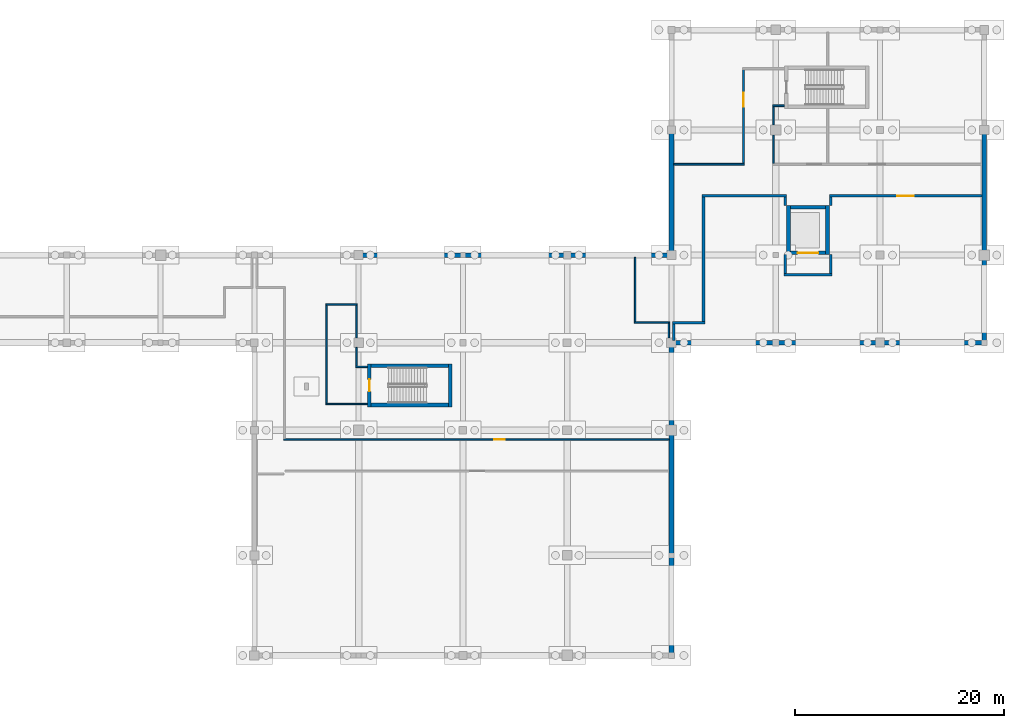
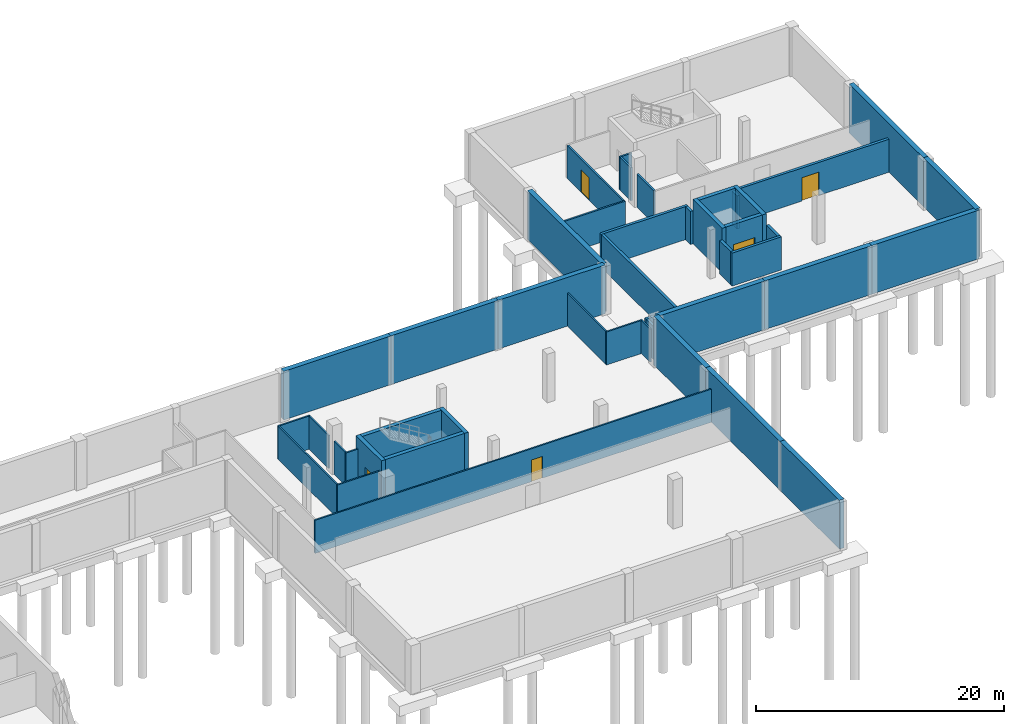
# One storey, part 18 of 28: 45 walls, 5 doors, 5 openings.
"""IFC4 building model written with IfcOpenShell, lengths in metres."""

from ifc_helpers import new_model, si_unit, direction, frame, frame_2d, origin, place, context, subcontext, project, spatial, rectangle, extrude, material, layer, layer_set, type_object, element, fill, save


model = new_model("IFC4")

# Units and contexts
model_context = context("Model", 3, precision=1e-05, world=origin(), true_north=direction((0.0, 1.0)))
body_context = subcontext(model_context, "Body", "Model", "MODEL_VIEW")
ifc_project = project(units=[si_unit("LENGTHUNIT", "METRE"), si_unit("AREAUNIT", "SQUARE_METRE"), si_unit("VOLUMEUNIT", "CUBIC_METRE"), si_unit("PLANEANGLEUNIT", "RADIAN"), si_unit("MASSUNIT", "GRAM", prefix="KILO")], contexts=[model_context])

# Site, building, storey
site_placement = place(None, origin())
site = spatial("IfcSite", under=ifc_project, at=site_placement, CompositionType="ELEMENT")
building_placement = place(site_placement, origin())
building = spatial("IfcBuilding", under=site, at=building_placement, Name="Zereglee Splitstone Museum", CompositionType="ELEMENT")
storey_placement = place(building_placement, frame((0.0, 0.0, -4.800048828125)))
storey = spatial("IfcBuildingStorey", under=building, at=storey_placement, Name="B1", CompositionType="ELEMENT", Elevation=-4.800048828125)

# Walls
ifc_material_1 = material(Name="Concrete C40/50", Category="concrete")
ifc_layer_1 = layer(ifc_material_1, 0.449951171875)
ifc_layer_set_1 = layer_set([ifc_layer_1], Name="Concrete C40/50")
wall_type_1 = type_object("IfcWallType", Name="ESW-01", PredefinedType="SHEAR", material=ifc_layer_set_1)
wall_1_placement = place(storey_placement, frame((296.0, 0.0, 0.0), z_axis=(0.0, 0.0, 1.0), x_axis=(0.0, 1.0, 0.0)))
element("IfcWall", 1, at=wall_1_placement, inside=storey, type_object=wall_type_1, Name="Basement Perimeter Retaining Wall B1-026", PredefinedType="SHEAR", context=body_context, shape_type="SweptSolid", body=[
    extrude(rectangle(XDim=9.60009765625, YDim=0.449951171875, at=frame_2d((4.800048828125, 0.0))), origin(), (0.0, 0.0, 1.0), 4.800048828125),
])
wall_2_placement = place(storey_placement, frame((296.0, 9.60009765625, 0.0), z_axis=(0.0, 0.0, 1.0), x_axis=(0.0, 1.0, 0.0)))
element("IfcWall", 2, at=wall_2_placement, inside=storey, type_object=wall_type_1, Name="Basement Perimeter Retaining Wall B1-027", PredefinedType="SHEAR", context=body_context, shape_type="SweptSolid", body=[
    extrude(rectangle(XDim=12.0, YDim=0.449951171875, at=frame_2d((6.0, 0.0))), origin(), (0.0, 0.0, 1.0), 4.800048828125),
])
wall_3_placement = place(storey_placement, frame((296.0, 21.60009765625, 0.0), z_axis=(0.0, 0.0, 1.0), x_axis=(0.0, 1.0, 0.0)))
element("IfcWall", 3, at=wall_3_placement, inside=storey, type_object=wall_type_1, Name="Basement Perimeter Retaining Wall B1-028", PredefinedType="SHEAR", context=body_context, shape_type="SweptSolid", body=[
    extrude(rectangle(XDim=8.39990234375, YDim=0.449951171875, at=frame_2d((4.199951171875, 0.0))), origin(), (0.0, 0.0, 1.0), 4.800048828125),
])
for number, where, z_axis, x_axis, name in (
    (4, (296.0, 30.0, 0.0), (0.0, 0.0, 1.0), (1.0, 0.0, 0.0), "Basement Perimeter Retaining Wall B1-029"),
    (5, (306.0, 30.0, 0.0), (0.0, 0.0, 1.0), (1.0, 0.0, 0.0), "Basement Perimeter Retaining Wall B1-030"),
    (6, (316.0, 30.0, 0.0), (0.0, 0.0, 1.0), (1.0, 0.0, 0.0), "Basement Perimeter Retaining Wall B1-031"),
):
    element("IfcWall", number, at=place(storey_placement, frame(where, z_axis=z_axis, x_axis=x_axis)), inside=storey, type_object=wall_type_1, Name=name, PredefinedType="SHEAR", context=body_context, shape_type="SweptSolid", body=[
        extrude(rectangle(XDim=10.0, YDim=0.449951171875, at=frame_2d((5.0, 0.0))), origin(), (0.0, 0.0, 1.0), 4.800048828125),
    ])
wall_4_placement = place(storey_placement, frame((326.0, 30.0, 0.0), z_axis=(0.0, 0.0, 1.0), x_axis=(0.0, 1.0, 0.0)))
element("IfcWall", 7, at=wall_4_placement, inside=storey, type_object=wall_type_1, Name="Basement Perimeter Retaining Wall B1-032", PredefinedType="SHEAR", context=body_context, shape_type="SweptSolid", body=[
    extrude(rectangle(XDim=8.39990234375, YDim=0.449951171875, at=frame_2d((4.199951171875, 0.0))), origin(), (0.0, 0.0, 1.0), 4.800048828125),
])
for number, where, z_axis, x_axis, name in (
    (8, (326.0, 38.39990234375, 0.0), (0.0, 0.0, 1.0), (0.0, 1.0, 0.0), "Basement Perimeter Retaining Wall B1-033"),
    (9, (296.0, 50.39990234375, 0.0), (0.0, 0.0, 1.0), (0.0, -1.0, 0.0), "Basement Perimeter Retaining Wall B1-039"),
):
    element("IfcWall", number, at=place(storey_placement, frame(where, z_axis=z_axis, x_axis=x_axis)), inside=storey, type_object=wall_type_1, Name=name, PredefinedType="SHEAR", context=body_context, shape_type="SweptSolid", body=[
        extrude(rectangle(XDim=12.0, YDim=0.449951171875, at=frame_2d((6.0, 0.0))), origin(), (0.0, 0.0, 1.0), 4.800048828125),
    ])
for number, where, z_axis, x_axis, name in (
    (10, (296.0, 38.39990234375, 0.0), (0.0, 0.0, 1.0), (-1.0, 0.0, 0.0), "Basement Perimeter Retaining Wall B1-040"),
    (11, (286.0, 38.39990234375, 0.0), (0.0, 0.0, 1.0), (-1.0, 0.0, 0.0), "Basement Perimeter Retaining Wall B1-041"),
    (12, (276.0, 38.39990234375, 0.0), (0.0, 0.0, 1.0), (-1.0, 0.0, 0.0), "Basement Perimeter Retaining Wall B1-042"),
):
    element("IfcWall", number, at=place(storey_placement, frame(where, z_axis=z_axis, x_axis=x_axis)), inside=storey, type_object=wall_type_1, Name=name, PredefinedType="SHEAR", context=body_context, shape_type="SweptSolid", body=[
        extrude(rectangle(XDim=10.0, YDim=0.449951171875, at=frame_2d((5.0, 0.0))), origin(), (0.0, 0.0, 1.0), 4.800048828125),
    ])

# Wall, opening, door
ifc_material_2 = material(Name="Concrete C45/55", Category="concrete")
ifc_layer_2 = layer(ifc_material_2, 0.360107421875)
ifc_layer_set_2 = layer_set([ifc_layer_2], Name="Concrete C45/55")
wall_type_2 = type_object("IfcWallType", Name="CSW-02", PredefinedType="SHEAR", material=ifc_layer_set_2)
wall_5_placement = place(storey_placement, frame((267.02001953125, 23.840087890625, 0.0), z_axis=(0.0, 0.0, 1.0), x_axis=(0.0, 1.0, 0.0)))
wall_5 = element("IfcWall", 13, at=wall_5_placement, inside=storey, type_object=wall_type_2, Name="Stair Core Shear Wall ST-05 B1 West", PredefinedType="SHEAR", context=body_context, shape_type="SweptSolid", body=[
    extrude(rectangle(XDim=4.119873046875, YDim=0.360107421875, at=frame_2d((2.06005859375, 0.0))), origin(), (0.0, 0.0, 1.0), 4.380126953125),
])
opening_1_placement = place(wall_5_placement, frame((1.485107421875, 0.0, 0.0)))
opening_1 = element("IfcOpeningElement", 14, at=opening_1_placement, cuts=wall_5, Name="Opening ID-03", PredefinedType="OPENING", context=body_context, shape_type="SweptSolid", body=[
    extrude(rectangle(XDim=1.14990234375, YDim=2.14990234375, at=frame_2d((0.574951171875, 1.074951171875))), frame((0.0, 0.19482421875, 0.0), z_axis=(0.0, -1.0, 0.0), x_axis=(1.0, 0.0, 0.0)), (0.0, 0.0, 1.0), 0.389892578125),
])
ifc_material_3 = material(Name="Fire-rated steel and Siberian larch leaf", Category="steel")
door_type_1 = type_object("IfcDoorType", Name="ID-03", OperationType="NOTDEFINED", PredefinedType="DOOR", material=ifc_material_3)
door_1_placement = place(opening_1_placement, origin())
door_1 = element("IfcDoor", 15, at=door_1_placement, inside=storey, type_object=door_type_1, Name="Protected Stair Fire Door ST-05 B1", OperationType="SINGLE_SWING_LEFT", OverallHeight=2.14990234375, OverallWidth=1.14990234375, PredefinedType="DOOR", context=body_context, shape_type="SweptSolid", body=[
    extrude(rectangle(XDim=1.14990234375, YDim=2.14990234375, at=frame_2d((0.574951171875, 1.074951171875))), frame((0.0, 0.02490234375, 0.0), z_axis=(0.0, -1.0, 0.0), x_axis=(1.0, 0.0, 0.0)), (0.0, 0.0, 1.0), 0.050048828125),
])
fill(opening_1, door_1)

# Walls
wall_6_placement = place(storey_placement, frame((274.780029296875, 23.840087890625, 0.0), z_axis=(0.0, 0.0, 1.0), x_axis=(0.0, 1.0, 0.0)))
element("IfcWall", 16, at=wall_6_placement, inside=storey, type_object=wall_type_2, Name="Stair Core Shear Wall ST-05 B1 East", PredefinedType="SHEAR", context=body_context, shape_type="SweptSolid", body=[
    extrude(rectangle(XDim=4.119873046875, YDim=0.360107421875, at=frame_2d((2.06005859375, 0.0))), origin(), (0.0, 0.0, 1.0), 4.380126953125),
])
for number, where, z_axis, x_axis, name in (
    (17, (267.199951171875, 27.780029296875, 0.0), (0.0, 0.0, 1.0), (1.0, 0.0, 0.0), "Stair Core Shear Wall ST-05 B1 North"),
    (18, (267.199951171875, 24.02001953125, 0.0), (0.0, 0.0, 1.0), (1.0, 0.0, 0.0), "Stair Core Shear Wall ST-05 B1 South"),
):
    element("IfcWall", number, at=place(storey_placement, frame(where, z_axis=z_axis, x_axis=x_axis)), inside=storey, type_object=wall_type_2, Name=name, PredefinedType="SHEAR", context=body_context, shape_type="SweptSolid", body=[
        extrude(rectangle(XDim=7.400146484375, YDim=0.360107421875, at=frame_2d((3.7001953125, 0.0))), origin(), (0.0, 0.0, 1.0), 4.380126953125),
    ])
wall_7_placement = place(storey_placement, frame((307.39990234375, 42.97998046875, 0.0), z_axis=(0.0, 0.0, 1.0), x_axis=(1.0, 0.0, 0.0)))
element("IfcWall", 19, at=wall_7_placement, inside=storey, type_object=wall_type_2, Name="Lift Shaft Wall GL-01 B1 North", PredefinedType="SHEAR", context=body_context, shape_type="SweptSolid", body=[
    extrude(rectangle(XDim=3.400146484375, YDim=0.360107421875, at=frame_2d((1.7001953125, 0.0))), origin(), (0.0, 0.0, 1.0), 4.380126953125),
])

# Wall, opening, door
wall_8_placement = place(storey_placement, frame((307.39990234375, 38.6201171875, 0.0), z_axis=(0.0, 0.0, 1.0), x_axis=(1.0, 0.0, 0.0)))
wall_8 = element("IfcWall", 20, at=wall_8_placement, inside=storey, type_object=wall_type_2, Name="Lift Shaft Wall GL-01 B1 South", PredefinedType="SHEAR", context=body_context, shape_type="SweptSolid", body=[
    extrude(rectangle(XDim=3.400146484375, YDim=0.360107421875, at=frame_2d((1.7001953125, 0.0))), origin(), (0.0, 0.0, 1.0), 4.380126953125),
])
opening_2_placement = place(wall_8_placement, frame((0.699951171875, 0.0, 0.0)))
opening_2 = element("IfcOpeningElement", 21, at=opening_2_placement, cuts=wall_8, Name="Opening LD-03", PredefinedType="OPENING", context=body_context, shape_type="SweptSolid", body=[
    extrude(rectangle(XDim=2.0, YDim=2.39990234375, at=frame_2d((1.0, 1.199951171875))), frame((0.0, 0.19482421875, 0.0), z_axis=(0.0, -1.0, 0.0), x_axis=(1.0, 0.0, 0.0)), (0.0, 0.0, 1.0), 0.389892578125),
])
door_type_2 = type_object("IfcDoorType", Name="LD-03", OperationType="DOUBLE_DOOR_SLIDING", PredefinedType="DOOR", material=ifc_material_3)
door_2_placement = place(opening_2_placement, origin())
door_2 = element("IfcDoor", 22, at=door_2_placement, inside=storey, type_object=door_type_2, Name="Lift Landing Sliding Door GL-01 B1", OperationType="DOUBLE_DOOR_SLIDING", OverallHeight=2.39990234375, OverallWidth=2.0, PredefinedType="DOOR", context=body_context, shape_type="SweptSolid", body=[
    extrude(rectangle(XDim=2.0, YDim=2.39990234375, at=frame_2d((1.0, 1.199951171875))), frame((0.0, 0.02490234375, 0.0), z_axis=(0.0, -1.0, 0.0), x_axis=(1.0, 0.0, 0.0)), (0.0, 0.0, 1.0), 0.050048828125),
])
fill(opening_2, door_2)

# Walls
for number, where, z_axis, x_axis, name in (
    (23, (307.219970703125, 38.43994140625, 0.0), (0.0, 0.0, 1.0), (0.0, 1.0, 0.0), "Lift Shaft Wall GL-01 B1 West"),
    (24, (310.97998046875, 38.43994140625, 0.0), (0.0, 0.0, 1.0), (0.0, 1.0, 0.0), "Lift Shaft Wall GL-01 B1 East"),
):
    element("IfcWall", number, at=place(storey_placement, frame(where, z_axis=z_axis, x_axis=x_axis)), inside=storey, type_object=wall_type_2, Name=name, PredefinedType="SHEAR", context=body_context, shape_type="SweptSolid", body=[
        extrude(rectangle(XDim=4.719970703125, YDim=0.360107421875, at=frame_2d((2.35986328125, 0.0))), origin(), (0.0, 0.0, 1.0), 4.380126953125),
    ])
ifc_layer_3 = layer(ifc_material_1, 0.25)
ifc_layer_set_3 = layer_set([ifc_layer_3], Name="Concrete C40/50")
wall_type_3 = type_object("IfcWallType", Name="IW-03", PredefinedType="PARTITIONING", material=ifc_layer_set_3)
wall_9_placement = place(storey_placement, frame((296.114990234375, 31.919921875, 0.0), z_axis=(0.0, 0.0, 1.0), x_axis=(1.0, 0.0, 0.0)))
element("IfcWall", 25, at=wall_9_placement, inside=storey, type_object=wall_type_3, Name="Interior Partition B1-0046 (Compact Shelving Collection Archive)", PredefinedType="PARTITIONING", context=body_context, shape_type="SweptSolid", body=[
    extrude(rectangle(XDim=3.090087890625, YDim=0.25, at=frame_2d((1.544921875, 0.0))), origin(), (0.0, 0.0, 1.0), 3.260009765625),
])
wall_10_placement = place(storey_placement, frame((306.794921875, 36.52001953125, 0.0), z_axis=(0.0, 0.0, 1.0), x_axis=(1.0, 0.0, 0.0)))
element("IfcWall", 26, at=wall_10_placement, inside=storey, type_object=wall_type_3, Name="Interior Partition B1-0059 (Compact Shelving Collection Archive)", PredefinedType="PARTITIONING", context=body_context, shape_type="SweptSolid", body=[
    extrude(rectangle(XDim=4.610107421875, YDim=0.25, at=frame_2d((2.30517578125, 0.0))), origin(), (0.0, 0.0, 1.0), 3.260009765625),
])
wall_11_placement = place(storey_placement, frame((298.955078125, 44.080078125, 0.0), z_axis=(0.0, 0.0, 1.0), x_axis=(1.0, 0.0, 0.0)))
element("IfcWall", 27, at=wall_11_placement, inside=storey, type_object=wall_type_3, Name="Interior Partition B1-0064 (Compact Shelving Collection Archive)", PredefinedType="PARTITIONING", context=body_context, shape_type="SweptSolid", body=[
    extrude(rectangle(XDim=8.08984375, YDim=0.25, at=frame_2d((4.044921875, 0.0))), origin(), (0.0, 0.0, 1.0), 3.260009765625),
])

# Wall, opening, door
wall_12_placement = place(storey_placement, frame((311.155029296875, 44.080078125, 0.0), z_axis=(0.0, 0.0, 1.0), x_axis=(1.0, 0.0, 0.0)))
wall_12 = element("IfcWall", 28, at=wall_12_placement, inside=storey, type_object=wall_type_3, Name="Interior Partition B1-0065 (Compact Shelving Collection Archive)", PredefinedType="PARTITIONING", context=body_context, shape_type="SweptSolid", body=[
    extrude(rectangle(XDim=14.619873046875, YDim=0.25, at=frame_2d((7.31005859375, 0.0))), origin(), (0.0, 0.0, 1.0), 3.260009765625),
])
opening_3_placement = place(wall_12_placement, frame((6.510009765625, 0.0, 0.0)))
opening_3 = element("IfcOpeningElement", 29, at=opening_3_placement, cuts=wall_12, Name="Opening ID-05", PredefinedType="OPENING", context=body_context, shape_type="SweptSolid", body=[
    extrude(rectangle(XDim=1.60009765625, YDim=2.300048828125, at=frame_2d((0.800048828125, 1.14990234375))), frame((0.0, 0.139892578125, 0.0), z_axis=(0.0, -1.0, 0.0), x_axis=(1.0, 0.0, 0.0)), (0.0, 0.0, 1.0), 0.27978515625),
])
door_type_3 = type_object("IfcDoorType", Name="ID-05", OperationType="NOTDEFINED", PredefinedType="DOOR", material=ifc_material_3)
door_3_placement = place(opening_3_placement, frame((1.60009765625, 0.0, 0.0), z_axis=(0.0, 0.0, 1.0), x_axis=(-1.0, 0.0, 0.0)))
door_3 = element("IfcDoor", 30, at=door_3_placement, inside=storey, type_object=door_type_3, Name="Interior Door B1-0020 (Compact Shelving Collection Archive)", OperationType="DOUBLE_DOOR_SINGLE_SWING", OverallHeight=2.300048828125, OverallWidth=1.60009765625, PredefinedType="DOOR", context=body_context, shape_type="SweptSolid", body=[
    extrude(rectangle(XDim=1.60009765625, YDim=2.300048828125, at=frame_2d((0.800048828125, 1.14990234375))), frame((0.0, 0.02490234375, 0.0), z_axis=(0.0, -1.0, 0.0), x_axis=(1.0, 0.0, 0.0)), (0.0, 0.0, 1.0), 0.050048828125),
])
fill(opening_3, door_3)

# Walls
wall_13_placement = place(storey_placement, frame((296.239990234375, 30.22509765625, 0.0), z_axis=(0.0, 0.0, 1.0), x_axis=(0.0, 1.0, 0.0)))
element("IfcWall", 31, at=wall_13_placement, inside=storey, type_object=wall_type_3, Name="Interior Partition B1-0143 (Compact Shelving Collection Archive)", PredefinedType="PARTITIONING", context=body_context, shape_type="SweptSolid", body=[
    extrude(rectangle(XDim=1.56982421875, YDim=0.25, at=frame_2d((0.784912109375, 0.0))), origin(), (0.0, 0.0, 1.0), 3.260009765625),
])
wall_14_placement = place(storey_placement, frame((299.080078125, 32.044921875, 0.0), z_axis=(0.0, 0.0, 1.0), x_axis=(0.0, 1.0, 0.0)))
element("IfcWall", 32, at=wall_14_placement, inside=storey, type_object=wall_type_3, Name="Interior Partition B1-0144 (Compact Shelving Collection Archive)", PredefinedType="PARTITIONING", context=body_context, shape_type="SweptSolid", body=[
    extrude(rectangle(XDim=11.91015625, YDim=0.25, at=frame_2d((5.955078125, 0.0))), origin(), (0.0, 0.0, 1.0), 3.260009765625),
])
wall_15_placement = place(storey_placement, frame((306.919921875, 36.64501953125, 0.0), z_axis=(0.0, 0.0, 1.0), x_axis=(0.0, 1.0, 0.0)))
element("IfcWall", 33, at=wall_15_placement, inside=storey, type_object=wall_type_3, Name="Interior Partition B1-0148 (Compact Shelving Collection Archive)", PredefinedType="PARTITIONING", context=body_context, shape_type="SweptSolid", body=[
    extrude(rectangle(XDim=1.794921875, YDim=0.25, at=frame_2d((0.8974609375, 0.0))), origin(), (0.0, 0.0, 1.0), 3.260009765625),
])
wall_16_placement = place(storey_placement, frame((306.919921875, 43.159912109375, 0.0), z_axis=(0.0, 0.0, 1.0), x_axis=(0.0, 1.0, 0.0)))
element("IfcWall", 34, at=wall_16_placement, inside=storey, type_object=wall_type_3, Name="Interior Partition B1-0149 (Compact Shelving Collection Archive)", PredefinedType="PARTITIONING", context=body_context, shape_type="SweptSolid", body=[
    extrude(rectangle(XDim=0.795166015625, YDim=0.25, at=frame_2d((0.3974609375, 0.0))), origin(), (0.0, 0.0, 1.0), 3.260009765625),
])
wall_17_placement = place(storey_placement, frame((311.280029296875, 36.64501953125, 0.0), z_axis=(0.0, 0.0, 1.0), x_axis=(0.0, 1.0, 0.0)))
element("IfcWall", 35, at=wall_17_placement, inside=storey, type_object=wall_type_3, Name="Interior Partition B1-0152 (Compact Shelving Collection Archive)", PredefinedType="PARTITIONING", context=body_context, shape_type="SweptSolid", body=[
    extrude(rectangle(XDim=1.794921875, YDim=0.25, at=frame_2d((0.8974609375, 0.0))), origin(), (0.0, 0.0, 1.0), 3.260009765625),
])
wall_18_placement = place(storey_placement, frame((311.280029296875, 43.159912109375, 0.0), z_axis=(0.0, 0.0, 1.0), x_axis=(0.0, 1.0, 0.0)))
element("IfcWall", 36, at=wall_18_placement, inside=storey, type_object=wall_type_3, Name="Interior Partition B1-0153 (Compact Shelving Collection Archive)", PredefinedType="PARTITIONING", context=body_context, shape_type="SweptSolid", body=[
    extrude(rectangle(XDim=0.795166015625, YDim=0.25, at=frame_2d((0.3974609375, 0.0))), origin(), (0.0, 0.0, 1.0), 3.260009765625),
])
ifc_material_4 = material(Name="Fire-rated gypsum board partition", Category="masonry")
ifc_layer_4 = layer(ifc_material_4, 0.159912109375)
ifc_layer_set_4 = layer_set([ifc_layer_4], Name="Fire-rated gypsum board partition")
wall_type_4 = type_object("IfcWallType", Name="IW-04", PredefinedType="PARTITIONING", material=ifc_layer_set_4)
wall_19_placement = place(storey_placement, frame((296.22509765625, 47.1201171875, 0.0), z_axis=(0.0, 0.0, 1.0), x_axis=(1.0, 0.0, 0.0)))
element("IfcWall", 37, at=wall_19_placement, inside=storey, type_object=wall_type_4, Name="Interior Partition B1-0069 (Standby Conservation Power Plant Room)", PredefinedType="PARTITIONING", context=body_context, shape_type="SweptSolid", body=[
    extrude(rectangle(XDim=6.77490234375, YDim=0.159912109375, at=frame_2d((3.387451171875, 0.0))), origin(), (0.0, 0.0, 1.0), 3.260009765625),
])
wall_20_placement = place(storey_placement, frame((305.699951171875, 52.719970703125, 0.0), z_axis=(0.0, 0.0, 1.0), x_axis=(1.0, 0.0, 0.0)))
element("IfcWall", 38, at=wall_20_placement, inside=storey, type_object=wall_type_4, Name="Interior Partition B1-0071 (Standby Conservation Power Plant Room Suite)", PredefinedType="PARTITIONING", context=body_context, shape_type="SweptSolid", body=[
    extrude(rectangle(XDim=1.14013671875, YDim=0.159912109375, at=frame_2d((0.570068359375, 0.0))), origin(), (0.0, 0.0, 1.0), 3.260009765625),
])

# Wall, opening, door
wall_21_placement = place(storey_placement, frame((302.919921875, 47.199951171875, 0.0), z_axis=(0.0, 0.0, 1.0), x_axis=(0.0, 1.0, 0.0)))
wall_21 = element("IfcWall", 39, at=wall_21_placement, inside=storey, type_object=wall_type_4, Name="Interior Partition B1-0145 (Standby Conservation Power Plant Room)", PredefinedType="PARTITIONING", context=body_context, shape_type="SweptSolid", body=[
    extrude(rectangle(XDim=9.0, YDim=0.159912109375, at=frame_2d((4.5, 0.0))), origin(), (0.0, 0.0, 1.0), 3.260009765625),
])
opening_4_placement = place(wall_21_placement, frame((5.445068359375, 0.0, 0.0)))
opening_4 = element("IfcOpeningElement", 40, at=opening_4_placement, cuts=wall_21, Name="Opening ID-08", PredefinedType="OPENING", context=body_context, shape_type="SweptSolid", body=[
    extrude(rectangle(XDim=1.35009765625, YDim=2.199951171875, at=frame_2d((0.675048828125, 1.10009765625))), frame((0.0, 0.0947265625, 0.0), z_axis=(0.0, -1.0, 0.0), x_axis=(1.0, 0.0, 0.0)), (0.0, 0.0, 1.0), 0.189697265625),
])
door_type_4 = type_object("IfcDoorType", Name="ID-08", OperationType="NOTDEFINED", PredefinedType="DOOR", material=ifc_material_3)
door_4_placement = place(opening_4_placement, origin())
door_4 = element("IfcDoor", 41, at=door_4_placement, inside=storey, type_object=door_type_4, Name="Interior Door B1-0021 (Standby Conservation Power Plant Room)", OperationType="SINGLE_SWING_RIGHT", OverallHeight=2.199951171875, OverallWidth=1.35009765625, PredefinedType="DOOR", context=body_context, shape_type="SweptSolid", body=[
    extrude(rectangle(XDim=1.35009765625, YDim=2.199951171875, at=frame_2d((0.675048828125, 1.10009765625))), frame((0.0, 0.02490234375, 0.0), z_axis=(0.0, -1.0, 0.0), x_axis=(1.0, 0.0, 0.0)), (0.0, 0.0, 1.0), 0.050048828125),
])
fill(opening_4, door_4)

# Walls
wall_22_placement = place(storey_placement, frame((305.780029296875, 47.199951171875, 0.0), z_axis=(0.0, 0.0, 1.0), x_axis=(0.0, 1.0, 0.0)))
element("IfcWall", 42, at=wall_22_placement, inside=storey, type_object=wall_type_4, Name="Interior Partition B1-0146 (Standby Conservation Power Plant Room Suite)", PredefinedType="PARTITIONING", context=body_context, shape_type="SweptSolid", body=[
    extrude(rectangle(XDim=2.699951171875, YDim=0.159912109375, at=frame_2d((1.35009765625, 0.0))), origin(), (0.0, 0.0, 1.0), 3.260009765625),
])
wall_23_placement = place(storey_placement, frame((305.780029296875, 50.89990234375, 0.0), z_axis=(0.0, 0.0, 1.0), x_axis=(0.0, 1.0, 0.0)))
element("IfcWall", 43, at=wall_23_placement, inside=storey, type_object=wall_type_4, Name="Interior Partition B1-0147 (Standby Conservation Power Plant Room Suite)", PredefinedType="PARTITIONING", context=body_context, shape_type="SweptSolid", body=[
    extrude(rectangle(XDim=1.739990234375, YDim=0.159912109375, at=frame_2d((0.8701171875, 0.0))), origin(), (0.0, 0.0, 1.0), 3.260009765625),
])

# Wall, opening, door
ifc_layer_5 = layer(ifc_material_4, 0.139892578125)
ifc_layer_set_5 = layer_set([ifc_layer_5], Name="Fire-rated gypsum board partition")
wall_type_5 = type_object("IfcWallType", Name="IW-05", PredefinedType="PARTITIONING", material=ifc_layer_set_5)
wall_24_placement = place(storey_placement, frame((258.81005859375, 20.719970703125, 0.0), z_axis=(0.0, 0.0, 1.0), x_axis=(1.0, 0.0, 0.0)))
wall_24 = element("IfcWall", 44, at=wall_24_placement, inside=storey, type_object=wall_type_5, Name="Interior Partition B1-0033 (Lecture Recording Studio)", PredefinedType="PARTITIONING", context=body_context, shape_type="SweptSolid", body=[
    extrude(rectangle(XDim=36.96484375, YDim=0.139892578125, at=frame_2d((18.482421875, 0.0))), origin(), (0.0, 0.0, 1.0), 3.260009765625),
])
opening_5_placement = place(wall_24_placement, frame((20.200439453125, 0.0, 0.0)))
opening_5 = element("IfcOpeningElement", 45, at=opening_5_placement, cuts=wall_24, Name="Opening ID-10", PredefinedType="OPENING", context=body_context, shape_type="SweptSolid", body=[
    extrude(rectangle(XDim=1.0, YDim=2.14990234375, at=frame_2d((0.5, 1.074951171875))), frame((0.0, 0.0849609375, 0.0), z_axis=(0.0, -1.0, 0.0), x_axis=(1.0, 0.0, 0.0)), (0.0, 0.0, 1.0), 0.169677734375),
])
ifc_material_5 = material(Name="Siberian larch acoustic timber leaf in bronze-steel frame", Category="steel")
door_type_5 = type_object("IfcDoorType", Name="ID-10", OperationType="NOTDEFINED", PredefinedType="DOOR", material=ifc_material_5)
door_5_placement = place(opening_5_placement, origin())
door_5 = element("IfcDoor", 46, at=door_5_placement, inside=storey, type_object=door_type_5, Name="Interior Door B1-0019 (Lecture Recording Studio)", OperationType="SINGLE_SWING_RIGHT", OverallHeight=2.14990234375, OverallWidth=1.0, PredefinedType="DOOR", context=body_context, shape_type="SweptSolid", body=[
    extrude(rectangle(XDim=1.0, YDim=2.14990234375, at=frame_2d((0.5, 1.074951171875))), frame((0.0, 0.02490234375, 0.0), z_axis=(0.0, -1.0, 0.0), x_axis=(1.0, 0.0, 0.0)), (0.0, 0.0, 1.0), 0.050048828125),
])
fill(opening_5, door_5)

# Walls
wall_25_placement = place(storey_placement, frame((262.85009765625, 24.1201171875, 0.0), z_axis=(0.0, 0.0, 1.0), x_axis=(1.0, 0.0, 0.0)))
element("IfcWall", 47, at=wall_25_placement, inside=storey, type_object=wall_type_5, Name="Interior Partition B1-0041 (Lecture Recording Studio)", PredefinedType="PARTITIONING", context=body_context, shape_type="SweptSolid", body=[
    extrude(rectangle(XDim=3.989990234375, YDim=0.139892578125, at=frame_2d((1.9951171875, 0.0))), origin(), (0.0, 0.0, 1.0), 3.260009765625),
])
wall_26_placement = place(storey_placement, frame((265.7099609375, 27.679931640625, 0.0), z_axis=(0.0, 0.0, 1.0), x_axis=(1.0, 0.0, 0.0)))
element("IfcWall", 48, at=wall_26_placement, inside=storey, type_object=wall_type_5, Name="Interior Partition B1-0043 (Lecture Recording Studio)", PredefinedType="PARTITIONING", context=body_context, shape_type="SweptSolid", body=[
    extrude(rectangle(XDim=1.130126953125, YDim=0.139892578125, at=frame_2d((0.56494140625, 0.0))), origin(), (0.0, 0.0, 1.0), 3.260009765625),
])
wall_27_placement = place(storey_placement, frame((292.449951171875, 31.919921875, 0.0), z_axis=(0.0, 0.0, 1.0), x_axis=(1.0, 0.0, 0.0)))
element("IfcWall", 49, at=wall_27_placement, inside=storey, type_object=wall_type_5, Name="Interior Partition B1-0045 (Lecture Recording Studio)", PredefinedType="PARTITIONING", context=body_context, shape_type="SweptSolid", body=[
    extrude(rectangle(XDim=3.380126953125, YDim=0.139892578125, at=frame_2d((1.68994140625, 0.0))), origin(), (0.0, 0.0, 1.0), 3.260009765625),
])
wall_28_placement = place(storey_placement, frame((262.85009765625, 33.679931640625, 0.0), z_axis=(0.0, 0.0, 1.0), x_axis=(1.0, 0.0, 0.0)))
element("IfcWall", 50, at=wall_28_placement, inside=storey, type_object=wall_type_5, Name="Interior Partition B1-0052 (Lecture Recording Studio)", PredefinedType="PARTITIONING", context=body_context, shape_type="SweptSolid", body=[
    extrude(rectangle(XDim=3.0, YDim=0.139892578125, at=frame_2d((1.5, 0.0))), origin(), (0.0, 0.0, 1.0), 3.260009765625),
])
wall_29_placement = place(storey_placement, frame((262.919921875, 24.18994140625, 0.0), z_axis=(0.0, 0.0, 1.0), x_axis=(0.0, 1.0, 0.0)))
element("IfcWall", 51, at=wall_29_placement, inside=storey, type_object=wall_type_5, Name="Interior Partition B1-0138 (Lecture Recording Studio)", PredefinedType="PARTITIONING", context=body_context, shape_type="SweptSolid", body=[
    extrude(rectangle(XDim=9.420166015625, YDim=0.139892578125, at=frame_2d((4.7099609375, 0.0))), origin(), (0.0, 0.0, 1.0), 3.260009765625),
])
wall_30_placement = place(storey_placement, frame((265.780029296875, 27.75, 0.0), z_axis=(0.0, 0.0, 1.0), x_axis=(0.0, 1.0, 0.0)))
element("IfcWall", 52, at=wall_30_placement, inside=storey, type_object=wall_type_5, Name="Interior Partition B1-0139 (Lecture Recording Studio)", PredefinedType="PARTITIONING", context=body_context, shape_type="SweptSolid", body=[
    extrude(rectangle(XDim=1.800048828125, YDim=0.139892578125, at=frame_2d((0.89990234375, 0.0))), origin(), (0.0, 0.0, 1.0), 3.260009765625),
])
wall_31_placement = place(storey_placement, frame((265.780029296875, 30.449951171875, 0.0), z_axis=(0.0, 0.0, 1.0), x_axis=(0.0, 1.0, 0.0)))
element("IfcWall", 53, at=wall_31_placement, inside=storey, type_object=wall_type_5, Name="Interior Partition B1-0140 (Lecture Recording Studio)", PredefinedType="PARTITIONING", context=body_context, shape_type="SweptSolid", body=[
    extrude(rectangle(XDim=3.16015625, YDim=0.139892578125, at=frame_2d((1.580078125, 0.0))), origin(), (0.0, 0.0, 1.0), 3.260009765625),
])
wall_32_placement = place(storey_placement, frame((292.52001953125, 31.989990234375, 0.0), z_axis=(0.0, 0.0, 1.0), x_axis=(0.0, 1.0, 0.0)))
element("IfcWall", 54, at=wall_32_placement, inside=storey, type_object=wall_type_5, Name="Interior Partition B1-0141 (Lecture Recording Studio)", PredefinedType="PARTITIONING", context=body_context, shape_type="SweptSolid", body=[
    extrude(rectangle(XDim=6.18505859375, YDim=0.139892578125, at=frame_2d((3.092529296875, 0.0))), origin(), (0.0, 0.0, 1.0), 3.260009765625),
])
wall_33_placement = place(storey_placement, frame((295.760009765625, 30.449951171875, 0.0), z_axis=(0.0, 0.0, 1.0), x_axis=(0.0, 1.0, 0.0)))
element("IfcWall", 55, at=wall_33_placement, inside=storey, type_object=wall_type_5, Name="Interior Partition B1-0142 (Lecture Recording Studio)", PredefinedType="PARTITIONING", context=body_context, shape_type="SweptSolid", body=[
    extrude(rectangle(XDim=1.400146484375, YDim=0.139892578125, at=frame_2d((0.7001953125, 0.0))), origin(), (0.0, 0.0, 1.0), 3.260009765625),
])

save(model, "model.ifc")
